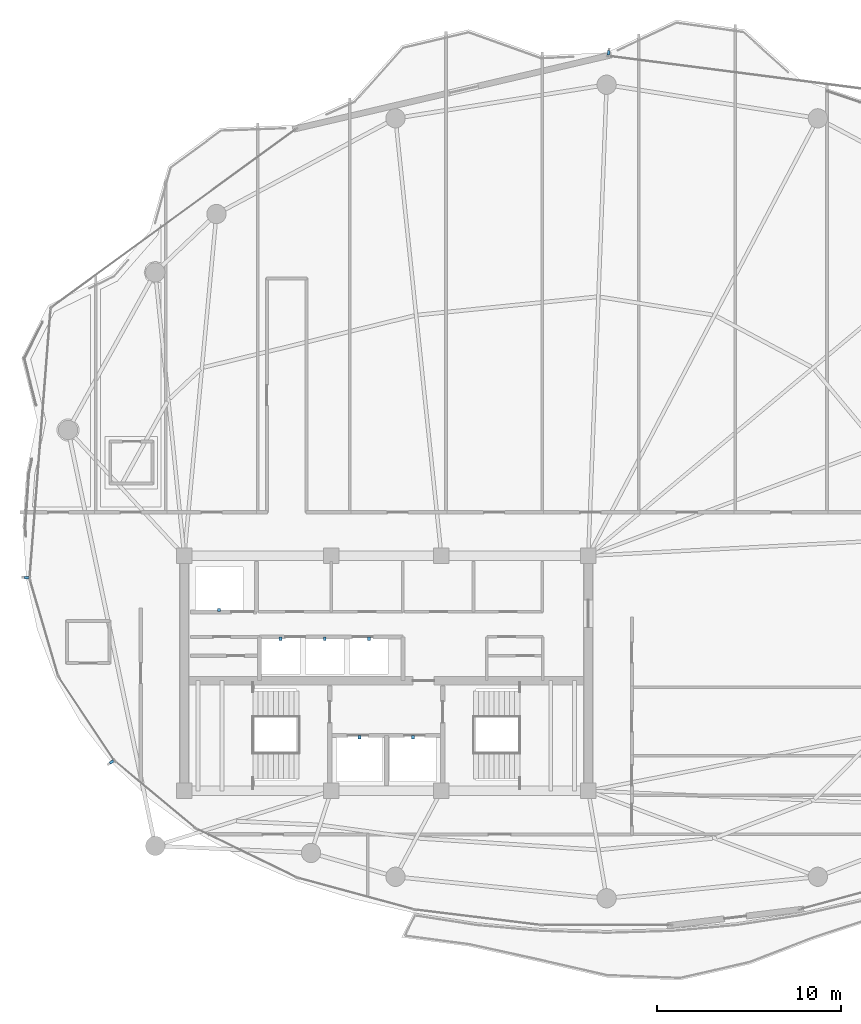
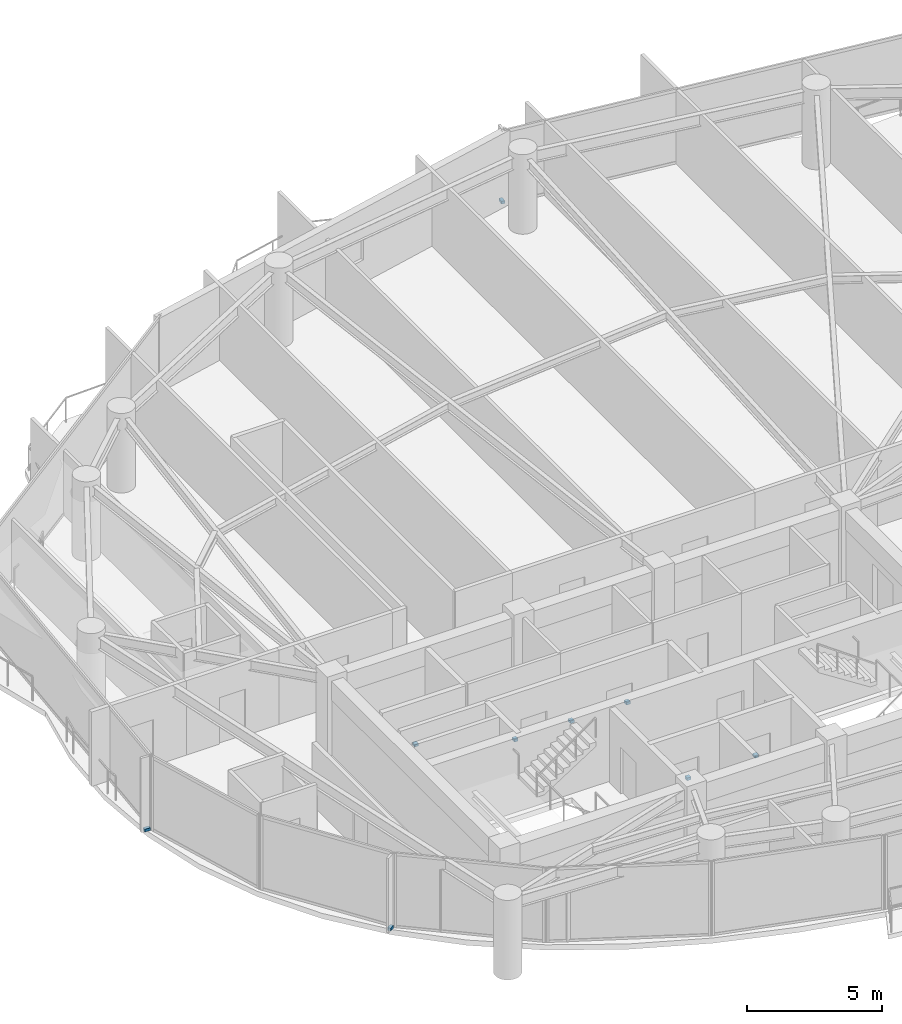
# One storey, part 28 of 31: 9 discrete accessories.
"""IFC4 building model written with IfcOpenShell, lengths in metres."""

from ifc_helpers import new_model, si_unit, direction, frame, origin, origin_2d, place, context, subcontext, project, spatial, rectangle, extrude, material, type_object, element, save


model = new_model("IFC4")

# Units and contexts
model_context = context("Model", 3, precision=1e-05, world=origin(), true_north=direction((0.0, 1.0)))
body_context = subcontext(model_context, "Body", "Model", "MODEL_VIEW")
ifc_project = project(units=[si_unit("LENGTHUNIT", "METRE"), si_unit("AREAUNIT", "SQUARE_METRE"), si_unit("VOLUMEUNIT", "CUBIC_METRE"), si_unit("PLANEANGLEUNIT", "RADIAN"), si_unit("MASSUNIT", "GRAM", prefix="KILO")], contexts=[model_context])

# Site, building, storey
site_placement = place(None, origin())
site = spatial("IfcSite", under=ifc_project, at=site_placement, CompositionType="ELEMENT")
building_placement = place(site_placement, origin())
building = spatial("IfcBuilding", under=site, at=building_placement, Name="Kazevale Care Tower and Concert Hall", CompositionType="ELEMENT")
storey_placement = place(building_placement, frame((0.0, 0.0, 202.800048828125)))
storey = spatial("IfcBuildingStorey", under=building, at=storey_placement, Name="L53", CompositionType="ELEMENT", Elevation=202.800048828125)

# Discrete accessories
ifc_material = material(Name="Stainless Steel 316", Category="steel")
discrete_accessory_type_1 = type_object("IfcDiscreteAccessoryType", Name="Facade Fin Stainless Anchor Bracket BRK-1", PredefinedType="BRACKET", material=ifc_material)
for number, where, z_axis, x_axis, name in (
    (1, (18.04443359375, 25.1689453125, 0.0), (0.0, 0.0, 1.0), (-0.832147748683, -0.554553986878, 0.0), "cw:L53:f11:brk"),
    (2, (13.41259765625, 35.210205078125, 0.0), (0.0, 0.0, 1.0), (-0.996985422604, 0.077589091471, 0.0), "cw:L53:f13:brk"),
    (3, (45.10546875, 63.785400390625, 0.0), (0.0, 0.0, 1.0), (0.128103248172, 0.991760837, 0.0), "cw:L53:f16:brk"),
):
    element("IfcDiscreteAccessory", number, at=place(storey_placement, frame(where, z_axis=z_axis, x_axis=x_axis)), inside=storey, type_object=discrete_accessory_type_1, Name=name, PredefinedType="BRACKET", context=body_context, shape_type="SweptSolid", body=[
        extrude(rectangle(XDim=0.239990234375, YDim=0.139892578125, at=origin_2d()), origin(), (0.0, 0.0, 1.0), 0.1201171875),
    ])
discrete_accessory_type_2 = type_object("IfcDiscreteAccessoryType", Name="Hoistway Guide-Rail Wall Bracket HBRK-1", PredefinedType="BRACKET", material=ifc_material)
for number, where, z_axis, x_axis, name in (
    (4, (31.550048828125, 26.52001953125, 1.239990234375), (0.0, 0.0, 1.0), (1.0, 0.0, 0.0), "hbrk:FFL-1:L53"),
    (5, (34.449951171875, 26.52001953125, 1.239990234375), (0.0, 0.0, 1.0), (1.0, 0.0, 0.0), "hbrk:FFL-2:L53"),
    (6, (23.89990234375, 33.449951171875, 1.239990234375), (0.0, 0.0, 1.0), (1.0, 0.0, 0.0), "hbrk:SVL-1:L53"),
    (7, (27.25, 31.8798828125, 1.239990234375), (0.0, 0.0, 1.0), (1.0, 0.0, 0.0), "hbrk:PH-1:L53"),
    (8, (29.64990234375, 31.8798828125, 1.239990234375), (0.0, 0.0, 1.0), (1.0, 0.0, 0.0), "hbrk:PH-2:L53"),
    (9, (32.050048828125, 31.8798828125, 1.239990234375), (0.0, 0.0, 1.0), (1.0, 0.0, 0.0), "hbrk:PH-3:L53"),
):
    element("IfcDiscreteAccessory", number, at=place(storey_placement, frame(where, z_axis=z_axis, x_axis=x_axis)), inside=storey, type_object=discrete_accessory_type_2, Name=name, PredefinedType="BRACKET", context=body_context, shape_type="SweptSolid", body=[
        extrude(rectangle(XDim=0.159912109375, YDim=0.179931640625, at=origin_2d()), origin(), (0.0, 0.0, 1.0), 0.1201171875),
    ])

save(model, "model.ifc")
